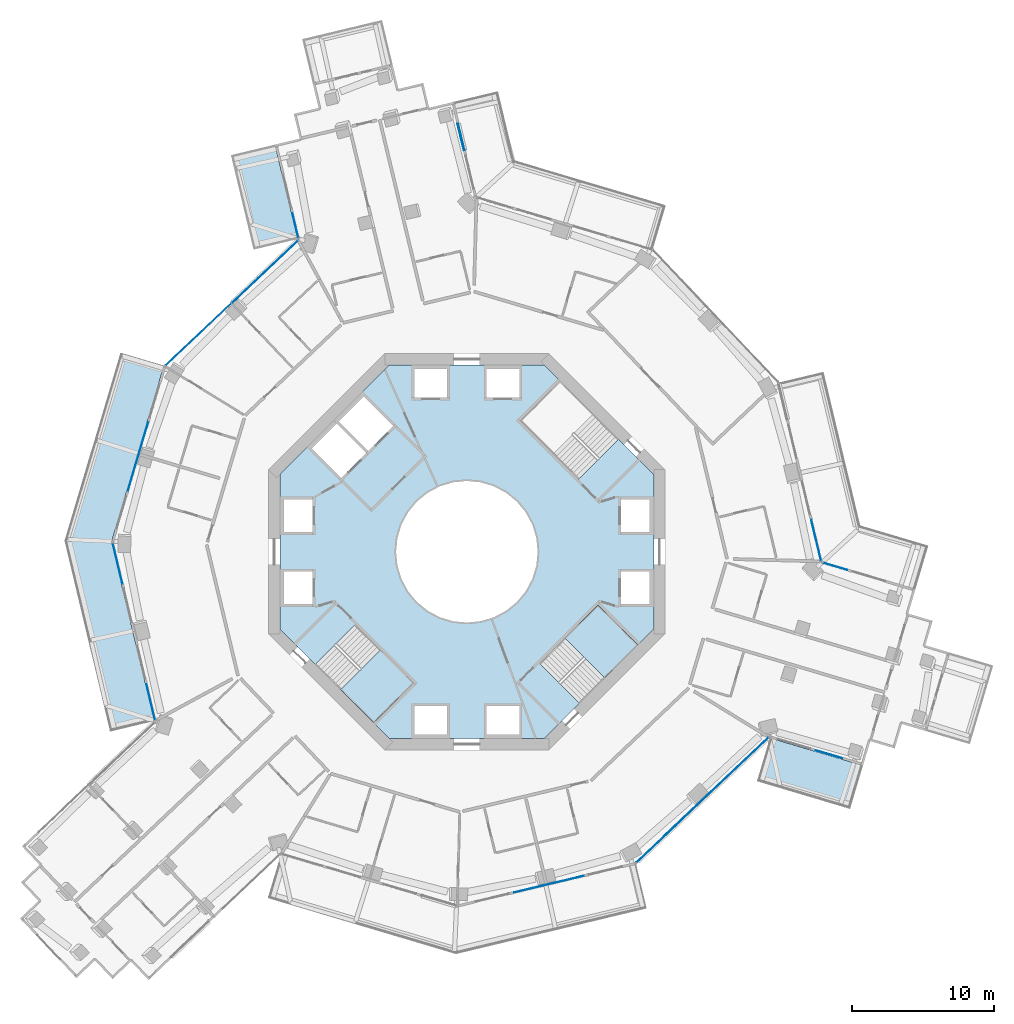
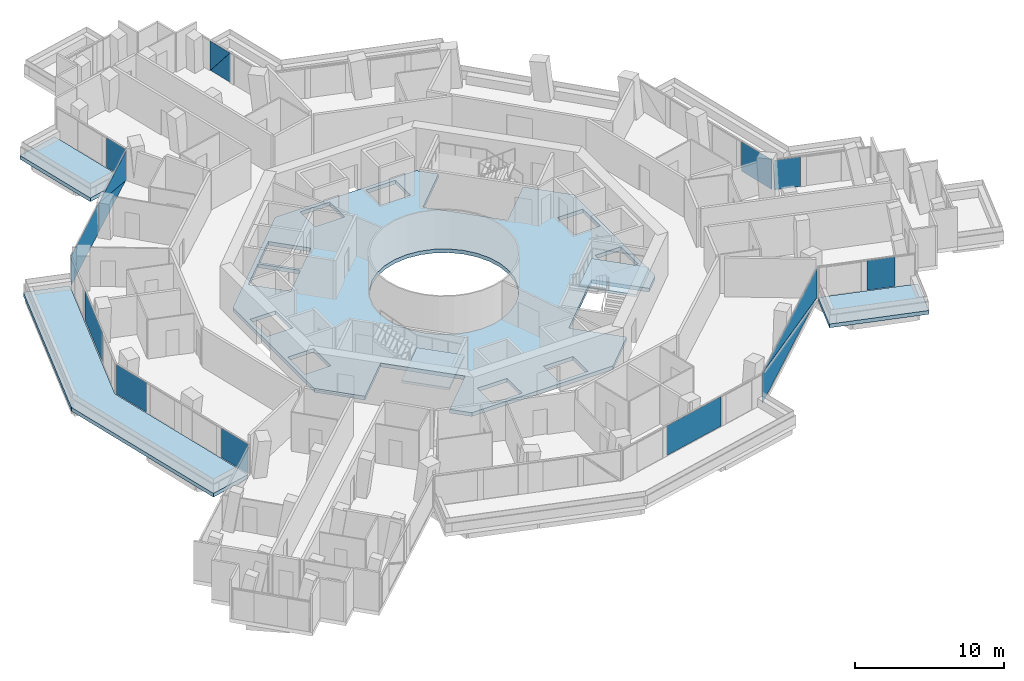
# One storey, part 14 of 27: 15 plates, 6 slabs, 12 elements without a shape of their own.
"""IFC4 building model written with IfcOpenShell, lengths in metres."""

from ifc_helpers import new_model, si_unit, direction, frame, origin, origin_2d, place, context, subcontext, project, spatial, polyline, rectangle, outline, extrude, material, layer, layer_set, type_object, element, aggregate, save


model = new_model("IFC4")

# Units and contexts
model_context = context("Model", 3, precision=1e-05, world=origin(), true_north=direction((0.0, 1.0)))
body_context = subcontext(model_context, "Body", "Model", "MODEL_VIEW")
ifc_project = project(units=[si_unit("LENGTHUNIT", "METRE"), si_unit("AREAUNIT", "SQUARE_METRE"), si_unit("VOLUMEUNIT", "CUBIC_METRE"), si_unit("PLANEANGLEUNIT", "RADIAN"), si_unit("MASSUNIT", "GRAM", prefix="KILO")], contexts=[model_context])

# Site, building, storey
site_placement = place(None, origin())
site = spatial("IfcSite", under=ifc_project, at=site_placement, CompositionType="ELEMENT")
building_placement = place(site_placement, origin())
building = spatial("IfcBuilding", under=site, at=building_placement, Name="Verdalira Terraces Hotel", CompositionType="ELEMENT")
storey_placement = place(building_placement, frame((0.0, 0.0, 89.5)))
storey = spatial("IfcBuildingStorey", under=building, at=storey_placement, Name="L20", CompositionType="ELEMENT", Elevation=89.5)

# Slabs
ifc_material_1 = material(Name="Precast concrete C40/50", Category="concrete")
ifc_layer_1 = layer(ifc_material_1, 0.31005859375)
ifc_layer_set_1 = layer_set([ifc_layer_1], Name="Balcony deck 310")
slab_type_1 = type_object("IfcSlabType", Name="Balcony deck 310", PredefinedType="FLOOR", material=ifc_layer_set_1)
slab_1_placement = place(storey_placement, frame((0.0, 0.0, -0.310059)))
element("IfcSlab", 1, at=slab_1_placement, inside=storey, type_object=slab_type_1, Name="Balcony deck", PredefinedType="FLOOR", context=body_context, shape_type="SweptSolid", body=[
    extrude(outline(polyline([(-15.072754, 21.339355), (-11.960205, 22.083252), (-13.555908, 28.76001), (-16.668213, 28.016357), (-15.072754, 21.339355)])), origin(), (0.0, 0.0, 1.0), 0.310059),
])
slab_2_placement = place(storey_placement, frame((0.0, 0.0, -0.310059)))
element("IfcSlab", 2, at=slab_2_placement, inside=storey, type_object=slab_type_1, Name="Balcony deck", PredefinedType="FLOOR", context=body_context, shape_type="SweptSolid", body=[
    extrude(outline(polyline([(-28.416504, 0.773926), (-25.195557, -12.704102), (-22.083252, -11.960205), (-25.104736, 0.683594), (-21.399414, 13.144531), (-24.466797, 14.056641), (-28.416504, 0.773926)])), origin(), (0.0, 0.0, 1.0), 0.310059),
])
slab_3_placement = place(storey_placement, frame((0.0, 0.0, -0.310059)))
element("IfcSlab", 3, at=slab_3_placement, inside=storey, type_object=slab_type_1, Name="Balcony deck", PredefinedType="FLOOR", context=body_context, shape_type="SweptSolid", body=[
    extrude(outline(polyline([(27.067627, -18.168457), (27.979492, -15.101074), (21.399414, -13.144531), (20.487549, -16.21167), (27.067627, -18.168457)])), origin(), (0.0, 0.0, 1.0), 0.310059),
])

# Curtain wall, plates
ifc_material_2 = material(Name="Clear glass", Category="glass")
ifc_layer_2 = layer(ifc_material_2, 0.14990234375)
ifc_layer_set_2 = layer_set([ifc_layer_2], Name="CW1 curtain wall")
curtain_wall_type_1 = type_object("IfcCurtainWallType", Name="CW1 curtain wall", PredefinedType="NOTDEFINED", material=ifc_layer_set_2)
curtain_wall_1_placement = place(storey_placement, origin())
curtain_wall_1 = element("IfcCurtainWall", 4, at=curtain_wall_1_placement, inside=storey, type_object=curtain_wall_type_1, Name="CW1 curtain wall L20 edge 11", PredefinedType="NOTDEFINED")
ifc_material_3 = material(Name="Clear glass", Category="glass")
ifc_layer_3 = layer(ifc_material_3, 0.028076171875)
ifc_layer_set_3 = layer_set([ifc_layer_3], Name="CW1 glass unit 28")
plate_type_1 = type_object("IfcPlateType", Name="CW1 glass unit 28", PredefinedType="CURTAIN_PANEL", material=ifc_layer_set_3)
plate_1_placement = place(storey_placement, frame((-14.269531, 19.773438, 1.212402), z_axis=(-0.687594588, 0.726094816, 0.0), x_axis=(-0.726094816, -0.687594588, 0.0)))
plate_1 = element("IfcPlate", 5, at=plate_1_placement, type_object=plate_type_1, Name="CW1 glass unit", PredefinedType="CURTAIN_PANEL", context=body_context, shape_type="SweptSolid", body=[
    extrude(outline(polyline([(-3.205078, -1.212402), (3.205078, -1.212402), (3.205078, 1.212402), (-3.205078, -1.212402)])), origin(), (0.0, 0.0, 1.0), 0.028076),
])
plate_2_placement = place(storey_placement, frame((-14.249756, 19.752441, 1.212402), z_axis=(-0.687594588, 0.726094816, 0.0), x_axis=(-0.726094816, -0.687594588, 0.0)))
plate_2 = element("IfcPlate", 6, at=plate_2_placement, type_object=plate_type_1, Name="CW1 glass unit", PredefinedType="CURTAIN_PANEL", context=body_context, shape_type="SweptSolid", body=[
    extrude(outline(polyline([(-3.205078, -1.212402), (3.205078, 1.212402), (-3.205078, 1.212402), (-3.205078, -1.212402)])), origin(), (0.0, 0.0, 1.0), 0.028076),
])
plate_3_placement = place(storey_placement, frame((-18.962646, 15.348877, 0.0), z_axis=(0.0, 0.0, 1.0), x_axis=(-0.726094816, -0.687594588, 0.0)))
plate_3 = element("IfcPlate", 7, at=plate_3_placement, type_object=plate_type_1, Name="CW1 glass unit", PredefinedType="CURTAIN_PANEL", context=body_context, shape_type="SweptSolid", body=[
    extrude(rectangle(XDim=6.369873, YDim=0.028076, at=origin_2d()), origin(), (0.0, 0.0, 1.0), 2.425049),
])
aggregate(curtain_wall_1, [plate_1, plate_2, plate_3])

# Curtain wall, plate
curtain_wall_2_placement = place(storey_placement, origin())
curtain_wall_2 = element("IfcCurtainWall", 8, at=curtain_wall_2_placement, inside=storey, type_object=curtain_wall_type_1, Name="CW1 curtain wall L20 edge 12", PredefinedType="NOTDEFINED")
plate_4_placement = place(storey_placement, frame((-23.231201, 6.721191, 0.0), z_axis=(0.0, 0.0, 1.0), x_axis=(-0.285019262, -0.958521789, 0.0)))
plate_4 = element("IfcPlate", 9, at=plate_4_placement, type_object=plate_type_1, Name="CW1 glass unit", PredefinedType="CURTAIN_PANEL", context=body_context, shape_type="SweptSolid", body=[
    extrude(rectangle(XDim=5.021729, YDim=0.028076, at=origin_2d()), origin(), (0.0, 0.0, 1.0), 2.425049),
])
aggregate(curtain_wall_2, [plate_4])

# Curtain wall, plates
curtain_wall_3_placement = place(storey_placement, origin())
curtain_wall_3 = element("IfcCurtainWall", 10, at=curtain_wall_3_placement, inside=storey, type_object=curtain_wall_type_1, Name="CW1 curtain wall L20 edge 13", PredefinedType="NOTDEFINED")
plate_5_placement = place(storey_placement, frame((-24.668701, -0.818604, 0.0), z_axis=(0.0, 0.0, 1.0), x_axis=(0.232426973, -0.972613851, 0.0)))
plate_5 = element("IfcPlate", 11, at=plate_5_placement, type_object=plate_type_1, Name="CW1 glass unit", PredefinedType="CURTAIN_PANEL", context=body_context, shape_type="SweptSolid", body=[
    extrude(rectangle(XDim=2.924805, YDim=0.028076, at=origin_2d()), origin(), (0.0, 0.0, 1.0), 2.425049),
])
plate_6_placement = place(storey_placement, frame((-22.326904, -10.61792, 0.0), z_axis=(0.0, 0.0, 1.0), x_axis=(0.232426973, -0.972613851, 0.0)))
plate_6 = element("IfcPlate", 12, at=plate_6_placement, type_object=plate_type_1, Name="CW1 glass unit", PredefinedType="CURTAIN_PANEL", context=body_context, shape_type="SweptSolid", body=[
    extrude(rectangle(XDim=2.604492, YDim=0.028076, at=origin_2d()), origin(), (0.0, 0.0, 1.0), 2.425049),
])
aggregate(curtain_wall_3, [plate_5, plate_6])

# Curtain wall, plate
curtain_wall_4_placement = place(storey_placement, origin())
curtain_wall_4 = element("IfcCurtainWall", 13, at=curtain_wall_4_placement, inside=storey, type_object=curtain_wall_type_1, Name="CW1 curtain wall L20 edge 26", PredefinedType="NOTDEFINED")
plate_7_placement = place(storey_placement, frame((5.794678, -23.479492, 0.0), z_axis=(0.0, 0.0, 1.0), x_axis=(0.972613851, 0.232426973, 0.0)))
plate_7 = element("IfcPlate", 14, at=plate_7_placement, type_object=plate_type_1, Name="CW1 glass unit", PredefinedType="CURTAIN_PANEL", context=body_context, shape_type="SweptSolid", body=[
    extrude(rectangle(XDim=5.021729, YDim=0.028076, at=origin_2d()), origin(), (0.0, 0.0, 1.0), 2.425049),
])
aggregate(curtain_wall_4, [plate_7])

# Curtain wall, plates
curtain_wall_5_placement = place(storey_placement, origin())
curtain_wall_5 = element("IfcCurtainWall", 15, at=curtain_wall_5_placement, inside=storey, type_object=curtain_wall_type_1, Name="CW1 curtain wall L20 edge 27", PredefinedType="NOTDEFINED")
plate_8_placement = place(storey_placement, frame((16.633057, -17.5354, 1.212402), z_axis=(0.687594588, -0.726094816, 0.0), x_axis=(0.726094816, 0.687594588, 0.0)))
plate_8 = element("IfcPlate", 16, at=plate_8_placement, type_object=plate_type_1, Name="CW1 glass unit", PredefinedType="CURTAIN_PANEL", context=body_context, shape_type="SweptSolid", body=[
    extrude(outline(polyline([(-6.419922, -1.212402), (6.419922, -1.212402), (-6.419922, 1.212402), (-6.419922, -1.212402)])), origin(), (0.0, 0.0, 1.0), 0.028076),
])
plate_9_placement = place(storey_placement, frame((16.613281, -17.514404, 1.212402), z_axis=(0.687594588, -0.726094816, 0.0), x_axis=(0.726094816, 0.687594588, 0.0)))
plate_9 = element("IfcPlate", 17, at=plate_9_placement, type_object=plate_type_1, Name="CW1 glass unit", PredefinedType="CURTAIN_PANEL", context=body_context, shape_type="SweptSolid", body=[
    extrude(outline(polyline([(6.419922, -1.212402), (6.419922, 1.212402), (-6.419922, 1.212402), (6.419922, -1.212402)])), origin(), (0.0, 0.0, 1.0), 0.028076),
])
aggregate(curtain_wall_5, [plate_8, plate_9])

# Curtain wall, plate
curtain_wall_6_placement = place(storey_placement, origin())
curtain_wall_6 = element("IfcCurtainWall", 18, at=curtain_wall_6_placement, inside=storey, type_object=curtain_wall_type_1, Name="CW1 curtain wall L20 edge 39", PredefinedType="NOTDEFINED")
plate_10_placement = place(storey_placement, frame((24.67334, 0.799072, 0.0), z_axis=(0.0, 0.0, 1.0), x_axis=(-0.232426973, 0.972613851, 0.0)))
plate_10 = element("IfcPlate", 19, at=plate_10_placement, type_object=plate_type_1, Name="CW1 glass unit", PredefinedType="CURTAIN_PANEL", context=body_context, shape_type="SweptSolid", body=[
    extrude(rectangle(XDim=2.965088, YDim=0.028076, at=origin_2d()), origin(), (0.0, 0.0, 1.0), 2.425049),
])
aggregate(curtain_wall_6, [plate_10])

# Curtain wall, plates
ifc_material_4 = material(Name="Clear glass", Category="glass")
ifc_layer_4 = layer(ifc_material_4, 0.14990234375)
ifc_layer_set_4 = layer_set([ifc_layer_4], Name="CW2 curtain wall")
curtain_wall_type_2 = type_object("IfcCurtainWallType", Name="CW2 curtain wall", PredefinedType="NOTDEFINED", material=ifc_layer_set_4)
curtain_wall_7_placement = place(storey_placement, origin())
curtain_wall_7 = element("IfcCurtainWall", 20, at=curtain_wall_7_placement, inside=storey, type_object=curtain_wall_type_2, Name="CW2 curtain wall L20 edge 0", PredefinedType="NOTDEFINED")
ifc_material_5 = material(Name="Clear glass", Category="glass")
ifc_layer_5 = layer(ifc_material_5, 0.031982421875)
ifc_layer_set_5 = layer_set([ifc_layer_5], Name="CW2 glass unit 32")
plate_type_2 = type_object("IfcPlateType", Name="CW2 glass unit 32", PredefinedType="CURTAIN_PANEL", material=ifc_layer_set_5)
plate_11_placement = place(storey_placement, frame((-0.411377, 29.295166, 1.212402), z_axis=(0.972613851, 0.232426973, 0.0), x_axis=(-0.232426973, 0.972613851, 0.0)))
plate_11 = element("IfcPlate", 21, at=plate_11_placement, type_object=plate_type_2, Name="CW2 glass unit", PredefinedType="CURTAIN_PANEL", context=body_context, shape_type="SweptSolid", body=[
    extrude(outline(polyline([(-0.966309, -1.212402), (0.966309, -1.212402), (-0.966309, 1.212402), (-0.966309, -1.212402)])), origin(), (0.0, 0.0, 1.0), 0.031982),
])
plate_12_placement = place(storey_placement, frame((-0.443359, 29.287354, 1.212402), z_axis=(0.972613851, 0.232426973, 0.0), x_axis=(-0.232426973, 0.972613851, 0.0)))
plate_12 = element("IfcPlate", 22, at=plate_12_placement, type_object=plate_type_2, Name="CW2 glass unit", PredefinedType="CURTAIN_PANEL", context=body_context, shape_type="SweptSolid", body=[
    extrude(outline(polyline([(0.966309, -1.212402), (0.966309, 1.212402), (-0.966309, 1.212402), (0.966309, -1.212402)])), origin(), (0.0, 0.0, 1.0), 0.031982),
])
aggregate(curtain_wall_7, [plate_11, plate_12])

# Curtain wall, plate
curtain_wall_8_placement = place(storey_placement, origin())
curtain_wall_8 = element("IfcCurtainWall", 23, at=curtain_wall_8_placement, inside=storey, type_object=curtain_wall_type_2, Name="CW2 curtain wall L20 edge 10", PredefinedType="NOTDEFINED")
plate_13_placement = place(storey_placement, frame((-12.111084, 23.037354, 0.0), z_axis=(0.0, 0.0, 1.0), x_axis=(0.232426973, -0.972613851, 0.0)))
plate_13 = element("IfcPlate", 24, at=plate_13_placement, type_object=plate_type_2, Name="CW2 glass unit", PredefinedType="CURTAIN_PANEL", context=body_context, shape_type="SweptSolid", body=[
    extrude(rectangle(XDim=1.786133, YDim=0.031982, at=origin_2d()), origin(), (0.0, 0.0, 1.0), 2.425049),
])
aggregate(curtain_wall_8, [plate_13])

curtain_wall_9_placement = place(storey_placement, origin())
curtain_wall_9 = element("IfcCurtainWall", 25, at=curtain_wall_9_placement, inside=storey, type_object=curtain_wall_type_2, Name="CW2 curtain wall L20 edge 28", PredefinedType="NOTDEFINED")
plate_14_placement = place(storey_placement, frame((25.571289, -14.306641, 0.0), z_axis=(0.0, 0.0, 1.0), x_axis=(0.958521789, -0.285019262, 0.0)))
plate_14 = element("IfcPlate", 26, at=plate_14_placement, type_object=plate_type_2, Name="CW2 glass unit", PredefinedType="CURTAIN_PANEL", context=body_context, shape_type="SweptSolid", body=[
    extrude(rectangle(XDim=1.932861, YDim=0.031982, at=origin_2d()), origin(), (0.0, 0.0, 1.0), 2.425049),
])
aggregate(curtain_wall_9, [plate_14])

curtain_wall_10_placement = place(storey_placement, origin())
curtain_wall_10 = element("IfcCurtainWall", 27, at=curtain_wall_10_placement, inside=storey, type_object=curtain_wall_type_2, Name="CW2 curtain wall L20 edge 38", PredefinedType="NOTDEFINED")
plate_15_placement = place(storey_placement, frame((26.006592, -1.030029, 0.0), z_axis=(0.0, 0.0, 1.0), x_axis=(-0.958521789, 0.285019262, 0.0)))
plate_15 = element("IfcPlate", 28, at=plate_15_placement, type_object=plate_type_2, Name="CW2 glass unit", PredefinedType="CURTAIN_PANEL", context=body_context, shape_type="SweptSolid", body=[
    extrude(rectangle(XDim=1.786133, YDim=0.031982, at=origin_2d()), origin(), (0.0, 0.0, 1.0), 2.425049),
])
aggregate(curtain_wall_10, [plate_15])

# Slab
ifc_material_6 = material(Name="Concrete C40", Category="concrete")
ifc_layer_6 = layer(ifc_material_6, 0.31005859375)
ifc_layer_set_6 = layer_set([ifc_layer_6], Name="Core floor slab 310 mm")
slab_type_2 = type_object("IfcSlabType", Name="Core floor slab 310 mm", PredefinedType="FLOOR", material=ifc_layer_set_6)
slab_4_placement = place(storey_placement, frame((0.0, 0.0, -0.310059)))
element("IfcSlab", 29, at=slab_4_placement, inside=storey, type_object=slab_type_2, Name="L20 core floor", PredefinedType="FLOOR", context=body_context, shape_type="SweptSolid", body=[
    extrude(outline(polyline([(-5.467529, 13.199951), (5.467529, 13.199951), (6.562012, 12.105713), (3.719482, 9.263184), (7.869629, 5.112793), (10.712402, 7.955322), (13.199951, 5.467529), (13.199951, -5.467529), (12.105713, -6.562012), (9.263184, -3.719482), (5.112793, -7.869629), (7.955322, -10.712402), (5.467529, -13.199951), (-5.467529, -13.199951), (-6.562012, -12.105713), (-3.719482, -9.263184), (-7.869629, -5.112793), (-10.712402, -7.955322), (-13.199951, -5.467529), (-13.199951, 5.467529), (-5.467529, 13.199951)]), holes=[polyline([(12.899902, -3.699951), (12.899902, -1.399902), (10.899902, -1.399902), (10.899902, -3.699951), (12.899902, -3.699951)]), polyline([(12.899902, 1.399902), (12.899902, 3.699951), (10.899902, 3.699951), (10.899902, 1.399902), (12.899902, 1.399902)]), polyline([(1.399902, 10.899902), (3.699951, 10.899902), (3.699951, 12.899902), (1.399902, 12.899902), (1.399902, 10.899902)]), polyline([(-3.699951, 10.899902), (-1.399902, 10.899902), (-1.399902, 12.899902), (-3.699951, 12.899902), (-3.699951, 10.899902)]), polyline([(-12.899902, 3.699951), (-12.899902, 1.399902), (-10.899902, 1.399902), (-10.899902, 3.699951), (-12.899902, 3.699951)]), polyline([(-12.899902, -1.399902), (-12.899902, -3.699951), (-10.899902, -3.699951), (-10.899902, -1.399902), (-12.899902, -1.399902)]), polyline([(-1.399902, -10.899902), (-3.699951, -10.899902), (-3.699951, -12.899902), (-1.399902, -12.899902), (-1.399902, -10.899902)]), polyline([(3.699951, -10.899902), (1.399902, -10.899902), (1.399902, -12.899902), (3.699951, -12.899902), (3.699951, -10.899902)]), polyline([(-9.051025, 9.192383), (-6.965088, 7.106445), (-5.197266, 8.874268), (-7.283203, 10.960205), (-9.051025, 9.192383)]), polyline([(-9.192383, 9.051025), (-10.960205, 7.283203), (-8.874268, 5.197266), (-7.106445, 6.965088), (-9.192383, 9.051025)]), polyline([(3.5354, 3.5354), (2.777832, 4.157227), (1.91333, 4.619385), (0.975586, 4.903809), (0.0, 5.0), (-0.975586, 4.903809), (-1.91333, 4.619385), (-2.777832, 4.157227), (-3.5354, 3.5354), (-4.157227, 2.777832), (-4.619385, 1.91333), (-4.903809, 0.975586), (-5.0, 0.0), (-4.903809, -0.975586), (-4.619385, -1.91333), (-4.157227, -2.777832), (-3.5354, -3.5354), (-2.777832, -4.157227), (-1.91333, -4.619385), (-0.975586, -4.903809), (0.0, -5.0), (0.975586, -4.903809), (1.91333, -4.619385), (2.777832, -4.157227), (3.5354, -3.5354), (4.157227, -2.777832), (4.619385, -1.91333), (4.903809, -0.975586), (5.0, 0.0), (4.903809, 0.975586), (4.619385, 1.91333), (4.157227, 2.777832), (3.5354, 3.5354)])]), origin(), (0.0, 0.0, 1.0), 0.310059),
])

# Stair, slab
ifc_material_7 = material(Name="Concrete C40", Category="concrete")
stair_type = type_object("IfcStairType", Name="Core stair 20 risers 1950 mm wide", PredefinedType="HALF_TURN_STAIR", material=ifc_material_7)
stair_1_placement = place(storey_placement, origin())
stair_1 = element("IfcStair", 30, at=stair_1_placement, inside=storey, type_object=stair_type, Name="L20 Exit stair ST2", PredefinedType="HALF_TURN_STAIR")
ifc_material_8 = material(Name="Concrete C40", Category="concrete")
ifc_layer_7 = layer(ifc_material_8, 0.199951171875)
ifc_layer_set_7 = layer_set([ifc_layer_7], Name="Core stair landing 200 mm")
slab_type_3 = type_object("IfcSlabType", Name="Core stair landing 200 mm", PredefinedType="LANDING", material=ifc_layer_set_7)
slab_5_placement = place(storey_placement, frame((0.0, 0.0, 1.550049)))
slab_5 = element("IfcSlab", 31, at=slab_5_placement, type_object=slab_type_3, Name="ST2 landing 1", PredefinedType="LANDING", context=body_context, shape_type="SweptSolid", body=[
    extrude(outline(polyline([(-8.931152, -9.736572), (-6.576172, -12.091553), (-3.747559, -9.263184), (-6.102783, -6.907959), (-8.931152, -9.736572)])), origin(), (0.0, 0.0, 1.0), 0.199951),
])
aggregate(stair_1, [slab_5])

stair_2_placement = place(storey_placement, origin())
stair_2 = element("IfcStair", 32, at=stair_2_placement, inside=storey, type_object=stair_type, Name="L20 Exit stair ST3", PredefinedType="HALF_TURN_STAIR")
slab_6_placement = place(storey_placement, frame((0.0, 0.0, 1.550049)))
slab_6 = element("IfcSlab", 33, at=slab_6_placement, type_object=slab_type_3, Name="ST3 landing 1", PredefinedType="LANDING", context=body_context, shape_type="SweptSolid", body=[
    extrude(outline(polyline([(9.736572, -8.931152), (12.091553, -6.576172), (9.263184, -3.747559), (6.907959, -6.102783), (9.736572, -8.931152)])), origin(), (0.0, 0.0, 1.0), 0.199951),
])
aggregate(stair_2, [slab_6])

save(model, "model.ifc")
